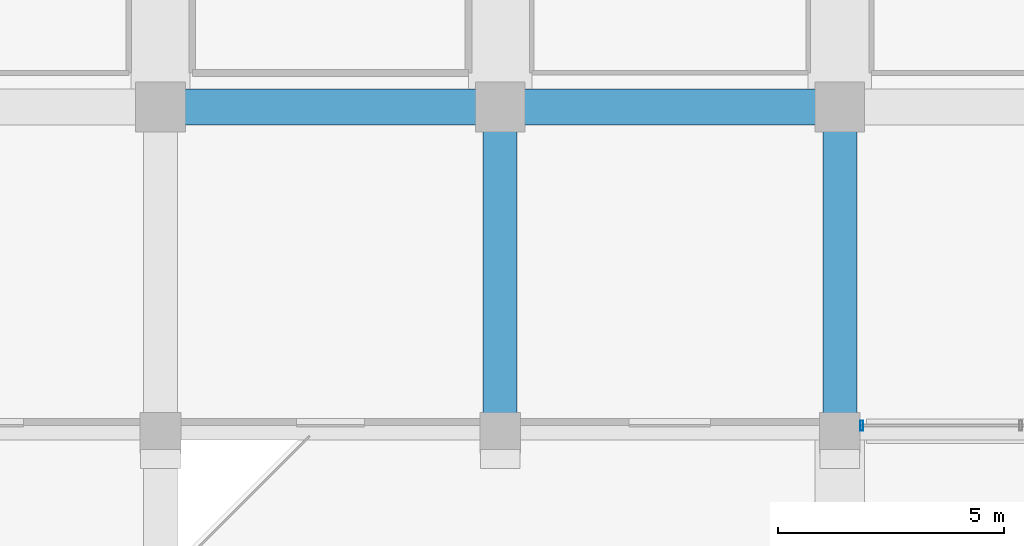
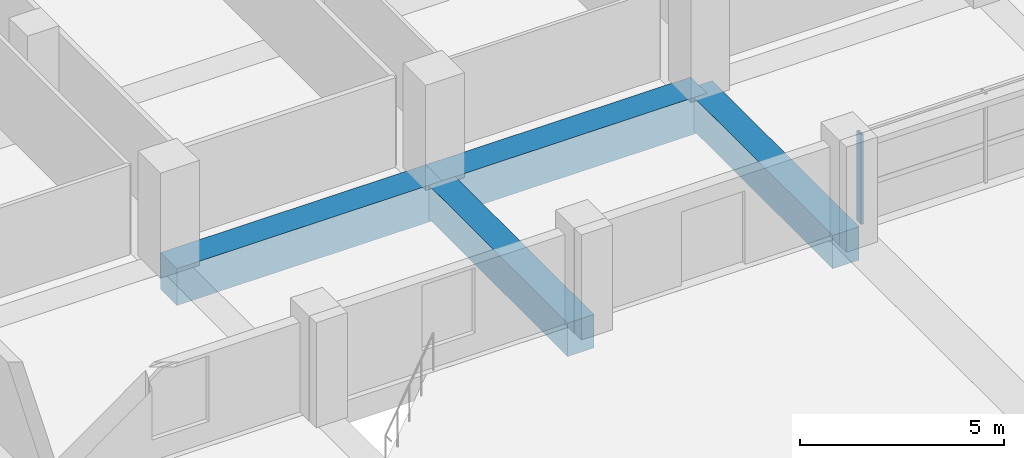
# One storey, part 3 of 49: 4 beams, 1 member, 1 element without a shape of its own.
"""IFC4 building model written with IfcOpenShell, lengths in metres."""

from ifc_helpers import new_model, si_unit, direction, frame, origin, origin_2d, place, context, subcontext, project, spatial, rectangle, hollow_rectangle, extrude, material, material_profile, profile_set, type_object, element, aggregate, save


model = new_model("IFC4")

# Units and contexts
model_context = context("Model", 3, precision=1e-05, world=origin(), true_north=direction((0.0, 1.0)))
body_context = subcontext(model_context, "Body", "Model", "MODEL_VIEW")
ifc_project = project(units=[si_unit("LENGTHUNIT", "METRE"), si_unit("AREAUNIT", "SQUARE_METRE"), si_unit("VOLUMEUNIT", "CUBIC_METRE"), si_unit("PLANEANGLEUNIT", "RADIAN"), si_unit("MASSUNIT", "GRAM", prefix="KILO")], contexts=[model_context])

# Site, building, storey
site_placement = place(None, origin())
site = spatial("IfcSite", under=ifc_project, at=site_placement, CompositionType="ELEMENT")
building_placement = place(site_placement, origin())
building = spatial("IfcBuilding", under=site, at=building_placement, Name="Akrevak Sports Hall", CompositionType="ELEMENT")
storey_placement = place(building_placement, frame((0.0, 0.0, 24.14990234375)))
storey = spatial("IfcBuildingStorey", under=building, at=storey_placement, Name="L04", CompositionType="ELEMENT", Elevation=24.14990234375)

# Curtain wall, member
ifc_material_1 = material(Name="Anodized Bronze Aluminium & Low-E Glass", Category="aluminium")
curtain_wall_type = type_object("IfcCurtainWallType", Name="ARC-CW-TWR-72x30", PredefinedType="NOTDEFINED", material=ifc_material_1)
curtain_wall_placement = place(storey_placement, origin())
curtain_wall = element("IfcCurtainWall", 1, at=curtain_wall_placement, inside=storey, type_object=curtain_wall_type, Name="Curtain Wall CW-L04-S04", PredefinedType="NOTDEFINED")
ifc_material_2 = material(Name="Anodized Bronze Aluminium", Category="aluminium")
ifc_material_profile_1 = material_profile(ifc_material_2, hollow_rectangle(XDim=0.06494140625, YDim=0.219970703125, WallThickness=0.00439453125, at=origin_2d()), Name="CWM 65x220", Category="aluminium")
ifc_profile_set_1 = profile_set([ifc_material_profile_1], Name="Anodized Bronze Aluminium")
member_type = type_object("IfcMemberType", Name="ARC-CWM-70x160", PredefinedType="MULLION", material=ifc_profile_set_1)
member_placement = place(storey_placement, frame((60.489990234375, 21.760009765625, 0.0), z_axis=(0.0, 0.0, 1.0), x_axis=(1.0, 0.0, 0.0)))
member = element("IfcMember", 2, at=member_placement, type_object=member_type, Name="Curtain Wall Mullion CW-L04-S04-M1", PredefinedType="MULLION", context=body_context, shape_type="SweptSolid", body=[
    extrude(hollow_rectangle(XDim=0.06494140625, YDim=0.219970703125, WallThickness=0.00439453125, at=origin_2d()), origin(), (0.0, 0.0, 1.0), 2.68017578125),
])
aggregate(curtain_wall, [member])

# Beams
ifc_material_3 = material(Name="Concrete C50/60", Category="concrete")
ifc_material_profile_2 = material_profile(ifc_material_3, rectangle(XDim=0.75, YDim=1.0, at=origin_2d()), Name="BM 750x1000", Category="concrete")
ifc_profile_set_2 = profile_set([ifc_material_profile_2], Name="Concrete C50/60")
beam_type_1 = type_object("IfcBeamType", Name="STR-BM-RC750x1000", PredefinedType="BEAM", material=ifc_profile_set_2)
for number, where, z_axis, x_axis, name in (
    (3, (52.5, 21.60009765625, -0.5), (0.0, 1.0, 0.0), (-1.0, 0.0, 0.0), "Girder 8/D-E (L04)"),
    (4, (60.0, 21.60009765625, -0.5), (0.0, 1.0, 0.0), (-1.0, 0.0, 0.0), "Girder 9/D-E (L04)"),
):
    element("IfcBeam", number, at=place(storey_placement, frame(where, z_axis=z_axis, x_axis=x_axis)), inside=storey, type_object=beam_type_1, Name=name, PredefinedType="BEAM", context=body_context, shape_type="SweptSolid", body=[
        extrude(rectangle(XDim=0.75, YDim=1.0, at=origin_2d()), origin(), (0.0, 0.0, 1.0), 7.199951171875),
    ])
ifc_material_profile_3 = material_profile(ifc_material_3, rectangle(XDim=0.800048828125, YDim=1.10009765625, at=origin_2d()), Name="BM 800x1100", Category="concrete")
ifc_profile_set_3 = profile_set([ifc_material_profile_3], Name="Concrete C50/60")
beam_type_2 = type_object("IfcBeamType", Name="STR-BM-RC800x1100", PredefinedType="BEAM", material=ifc_profile_set_3)
for number, where, z_axis, x_axis, name in (
    (5, (45.0, 28.800048828125, -0.5498046875), (1.0, 0.0, 0.0), (0.0, 1.0, 0.0), "Girder E/7-8 (L04)"),
    (6, (52.5, 28.800048828125, -0.5498046875), (1.0, 0.0, 0.0), (0.0, 1.0, 0.0), "Girder E/8-9 (L04)"),
):
    element("IfcBeam", number, at=place(storey_placement, frame(where, z_axis=z_axis, x_axis=x_axis)), inside=storey, type_object=beam_type_2, Name=name, PredefinedType="BEAM", context=body_context, shape_type="SweptSolid", body=[
        extrude(rectangle(XDim=0.800048828125, YDim=1.10009765625, at=origin_2d()), origin(), (0.0, 0.0, 1.0), 7.5),
    ])

save(model, "model.ifc")
